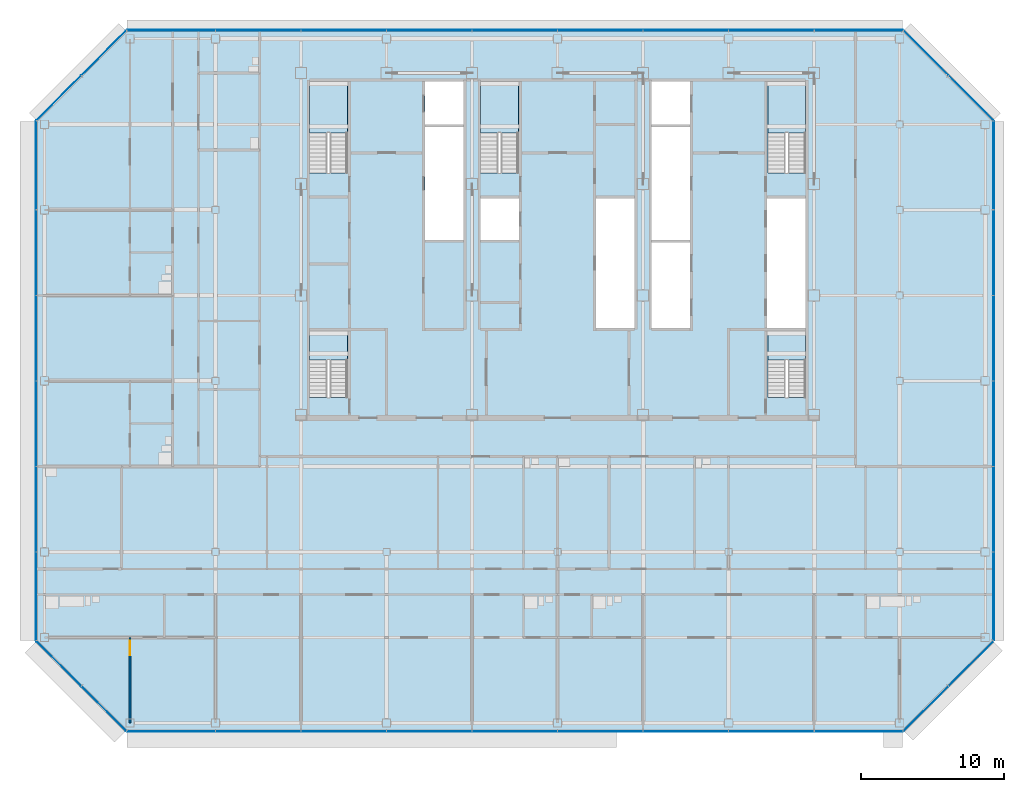
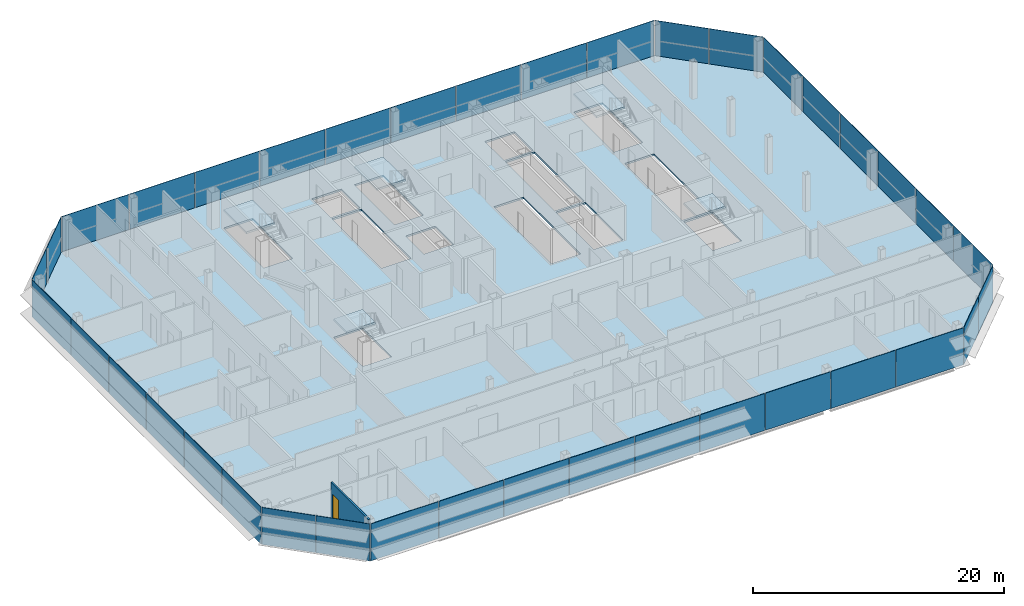
# One storey, part 20 of 28: 38 plates, 6 slabs, 1 door, 1 wall, 1 opening, 13 elements without a shape of their own.
"""IFC4 building model written with IfcOpenShell, lengths in metres."""

from ifc_helpers import new_model, si_unit, direction, frame, frame_2d, origin, origin_2d, place, context, subcontext, project, spatial, polyline, rectangle, outline, extrude, material, layer, layer_set, type_object, element, fill, aggregate, save


model = new_model("IFC4")

# Units and contexts
model_context = context("Model", 3, precision=1e-05, world=origin(), true_north=direction((0.0, 1.0)))
body_context = subcontext(model_context, "Body", "Model", "MODEL_VIEW")
ifc_project = project(units=[si_unit("LENGTHUNIT", "METRE"), si_unit("AREAUNIT", "SQUARE_METRE"), si_unit("VOLUMEUNIT", "CUBIC_METRE"), si_unit("PLANEANGLEUNIT", "RADIAN"), si_unit("MASSUNIT", "GRAM", prefix="KILO")], contexts=[model_context])

# Site, building, storey
site_placement = place(None, origin())
site = spatial("IfcSite", under=ifc_project, at=site_placement, CompositionType="ELEMENT")
building_placement = place(site_placement, origin())
building = spatial("IfcBuilding", under=site, at=building_placement, Name="Sorahane Residences", CompositionType="ELEMENT")
storey_placement = place(building_placement, frame((0.0, 0.0, 266.60009765625)))
storey = spatial("IfcBuildingStorey", under=building, at=storey_placement, Name="L63", CompositionType="ELEMENT", Elevation=266.60009765625)

# Slab
ifc_material_1 = material(Name="Concrete C35", Category="concrete")
ifc_layer_1 = layer(ifc_material_1, 0.179931640625)
ifc_layer_set_1 = layer_set([ifc_layer_1], Name="Composite floor slab 180 mm Concrete C35")
slab_type_1 = type_object("IfcSlabType", Name="Composite floor slab 180 mm Concrete C35", PredefinedType="FLOOR", material=ifc_layer_set_1)
slab_1_placement = place(storey_placement, frame((0.0, 0.0, -0.18017578125)))
element("IfcSlab", 1, at=slab_1_placement, inside=storey, type_object=slab_type_1, Name="Slab L63", PredefinedType="FLOOR", context=body_context, shape_type="SweptSolid", body=[
    extrude(outline(polyline([(-6.24853515625, -0.60009765625), (-12.60009765625, 5.75146484375), (-12.60009765625, 42.24853515625), (-6.24853515625, 48.60009765625), (48.24853515625, 48.60009765625), (54.60009765625, 42.24853515625), (54.60009765625, 5.75146484375), (48.24853515625, -0.60009765625), (-6.24853515625, -0.60009765625)]), holes=[polyline([(38.699951171875, 27.699951171875), (41.39990234375, 27.699951171875), (41.39990234375, 36.800048828125), (38.699951171875, 36.800048828125), (38.699951171875, 27.699951171875)]), polyline([(30.60009765625, 27.699951171875), (33.300048828125, 27.699951171875), (33.300048828125, 33.699951171875), (30.60009765625, 33.699951171875), (30.60009765625, 27.699951171875)]), polyline([(30.60009765625, 42.0), (33.300048828125, 42.0), (33.300048828125, 45.0), (30.60009765625, 45.0), (30.60009765625, 42.0)]), polyline([(14.699951171875, 42.0), (17.39990234375, 42.0), (17.39990234375, 45.0), (14.699951171875, 45.0), (14.699951171875, 42.0)]), polyline([(9.25, 38.60009765625), (9.25, 45.0), (6.60009765625, 45.0), (6.60009765625, 38.60009765625), (9.25, 38.60009765625)]), polyline([(41.39990234375, 38.60009765625), (41.39990234375, 45.0), (38.75, 45.0), (38.75, 38.60009765625), (41.39990234375, 38.60009765625)]), polyline([(21.25, 38.60009765625), (21.25, 45.0), (18.60009765625, 45.0), (18.60009765625, 38.60009765625), (21.25, 38.60009765625)]), polyline([(9.25, 22.85009765625), (9.25, 27.5), (6.60009765625, 27.5), (6.60009765625, 22.85009765625), (9.25, 22.85009765625)]), polyline([(41.39990234375, 22.85009765625), (41.39990234375, 27.5), (38.75, 27.5), (38.75, 22.85009765625), (41.39990234375, 22.85009765625)]), polyline([(14.699951171875, 33.89990234375), (17.39990234375, 33.89990234375), (17.39990234375, 41.800048828125), (14.699951171875, 41.800048828125), (14.699951171875, 33.89990234375)]), polyline([(30.60009765625, 33.89990234375), (33.300048828125, 33.89990234375), (33.300048828125, 41.800048828125), (30.60009765625, 41.800048828125), (30.60009765625, 33.89990234375)]), polyline([(18.60009765625, 33.89990234375), (21.300048828125, 33.89990234375), (21.300048828125, 36.800048828125), (18.60009765625, 36.800048828125), (18.60009765625, 33.89990234375)]), polyline([(26.699951171875, 27.699951171875), (29.39990234375, 27.699951171875), (29.39990234375, 36.800048828125), (26.699951171875, 36.800048828125), (26.699951171875, 27.699951171875)])]), origin(), (0.0, 0.0, 1.0), 0.18017578125),
])

# Curtain wall, plates
ifc_material_2 = material(Name="Dark low-e glass and black anodised aluminium", Category="aluminium")
curtain_wall_type_1 = type_object("IfcCurtainWallType", Name="Curtain wall CW-1 Typical unitised wall", PredefinedType="NOTDEFINED", material=ifc_material_2)
curtain_wall_1_placement = place(storey_placement, origin())
curtain_wall_1 = element("IfcCurtainWall", 2, at=curtain_wall_1_placement, inside=storey, type_object=curtain_wall_type_1, Name="CW-1 curtain wall L63 S1", PredefinedType="NOTDEFINED")
ifc_material_3 = material(Name="Dark low-e glass with black ceramic frit", Category="glass")
ifc_layer_2 = layer(ifc_material_3, 0.0400390625)
ifc_layer_set_2 = layer_set([ifc_layer_2], Name="Curtain wall glass panel dark low-e with black frit spandrel band")
plate_type = type_object("IfcPlateType", Name="Curtain wall glass panel dark low-e with black frit spandrel band", PredefinedType="CURTAIN_PANEL", material=ifc_layer_set_2)
plate_1_placement = place(storey_placement, frame((-3.11181640625, -0.60009765625, -0.18017578125), z_axis=(0.0, 0.0, 1.0), x_axis=(1.0, 0.0, 0.0)))
plate_1 = element("IfcPlate", 3, at=plate_1_placement, type_object=plate_type, Name="CW-1 glass panel L63 S1.1", PredefinedType="CURTAIN_PANEL", context=body_context, shape_type="SweptSolid", body=[
    extrude(rectangle(XDim=6.173583984375, YDim=0.0400390625, at=origin_2d()), origin(), (0.0, 0.0, 1.0), 3.60009765625),
])
plate_2_placement = place(storey_placement, frame((3.0, -0.60009765625, -0.18017578125), z_axis=(0.0, 0.0, 1.0), x_axis=(1.0, 0.0, 0.0)))
plate_2 = element("IfcPlate", 4, at=plate_2_placement, type_object=plate_type, Name="CW-1 glass panel L63 S1.2", PredefinedType="CURTAIN_PANEL", context=body_context, shape_type="SweptSolid", body=[
    extrude(rectangle(XDim=5.949951171875, YDim=0.0400390625, at=origin_2d()), origin(), (0.0, 0.0, 1.0), 3.60009765625),
])
plate_3_placement = place(storey_placement, frame((9.0, -0.60009765625, -0.18017578125), z_axis=(0.0, 0.0, 1.0), x_axis=(1.0, 0.0, 0.0)))
plate_3 = element("IfcPlate", 5, at=plate_3_placement, type_object=plate_type, Name="CW-1 glass panel L63 S1.3", PredefinedType="CURTAIN_PANEL", context=body_context, shape_type="SweptSolid", body=[
    extrude(rectangle(XDim=5.949951171875, YDim=0.0400390625, at=origin_2d()), origin(), (0.0, 0.0, 1.0), 3.60009765625),
])
plate_4_placement = place(storey_placement, frame((15.0, -0.60009765625, -0.18017578125), z_axis=(0.0, 0.0, 1.0), x_axis=(1.0, 0.0, 0.0)))
plate_4 = element("IfcPlate", 6, at=plate_4_placement, type_object=plate_type, Name="CW-1 glass panel L63 S1.4", PredefinedType="CURTAIN_PANEL", context=body_context, shape_type="SweptSolid", body=[
    extrude(rectangle(XDim=5.949951171875, YDim=0.0400390625, at=origin_2d()), origin(), (0.0, 0.0, 1.0), 3.60009765625),
])
plate_5_placement = place(storey_placement, frame((21.0, -0.60009765625, -0.18017578125), z_axis=(0.0, 0.0, 1.0), x_axis=(1.0, 0.0, 0.0)))
plate_5 = element("IfcPlate", 7, at=plate_5_placement, type_object=plate_type, Name="CW-1 glass panel L63 S1.5", PredefinedType="CURTAIN_PANEL", context=body_context, shape_type="SweptSolid", body=[
    extrude(rectangle(XDim=5.949951171875, YDim=0.0400390625, at=origin_2d()), origin(), (0.0, 0.0, 1.0), 3.60009765625),
])
plate_6_placement = place(storey_placement, frame((27.0, -0.60009765625, -0.18017578125), z_axis=(0.0, 0.0, 1.0), x_axis=(1.0, 0.0, 0.0)))
plate_6 = element("IfcPlate", 8, at=plate_6_placement, type_object=plate_type, Name="CW-1 glass panel L63 S1.6", PredefinedType="CURTAIN_PANEL", context=body_context, shape_type="SweptSolid", body=[
    extrude(rectangle(XDim=5.949951171875, YDim=0.0400390625, at=origin_2d()), origin(), (0.0, 0.0, 1.0), 3.60009765625),
])
plate_7_placement = place(storey_placement, frame((33.0, -0.60009765625, -0.18017578125), z_axis=(0.0, 0.0, 1.0), x_axis=(1.0, 0.0, 0.0)))
plate_7 = element("IfcPlate", 9, at=plate_7_placement, type_object=plate_type, Name="CW-1 glass panel L63 S1.7", PredefinedType="CURTAIN_PANEL", context=body_context, shape_type="SweptSolid", body=[
    extrude(rectangle(XDim=5.949951171875, YDim=0.0400390625, at=origin_2d()), origin(), (0.0, 0.0, 1.0), 3.60009765625),
])
plate_8_placement = place(storey_placement, frame((39.0, -0.60009765625, -0.18017578125), z_axis=(0.0, 0.0, 1.0), x_axis=(1.0, 0.0, 0.0)))
plate_8 = element("IfcPlate", 10, at=plate_8_placement, type_object=plate_type, Name="CW-1 glass panel L63 S1.8", PredefinedType="CURTAIN_PANEL", context=body_context, shape_type="SweptSolid", body=[
    extrude(rectangle(XDim=5.949951171875, YDim=0.0400390625, at=origin_2d()), origin(), (0.0, 0.0, 1.0), 3.60009765625),
])
plate_9_placement = place(storey_placement, frame((45.11181640625, -0.60009765625, -0.18017578125), z_axis=(0.0, 0.0, 1.0), x_axis=(1.0, 0.0, 0.0)))
plate_9 = element("IfcPlate", 11, at=plate_9_placement, type_object=plate_type, Name="CW-1 glass panel L63 S1.9", PredefinedType="CURTAIN_PANEL", context=body_context, shape_type="SweptSolid", body=[
    extrude(rectangle(XDim=6.173583984375, YDim=0.0400390625, at=origin_2d()), origin(), (0.0, 0.0, 1.0), 3.60009765625),
])
aggregate(curtain_wall_1, [plate_1, plate_2, plate_3, plate_4, plate_5, plate_6, plate_7, plate_8, plate_9])

ifc_material_4 = material(Name="Dark low-e glass and black anodised aluminium", Category="aluminium")
curtain_wall_type_2 = type_object("IfcCurtainWallType", Name="Curtain wall CW-2 Chamfer unitised wall", PredefinedType="NOTDEFINED", material=ifc_material_4)
curtain_wall_2_placement = place(storey_placement, origin())
curtain_wall_2 = element("IfcCurtainWall", 12, at=curtain_wall_2_placement, inside=storey, type_object=curtain_wall_type_2, Name="CW-2 curtain wall L63 SE1", PredefinedType="NOTDEFINED")
plate_10_placement = place(storey_placement, frame((49.84521484375, 0.996826171875, -0.18017578125), z_axis=(0.0, 0.0, 1.0), x_axis=(0.707106781187, 0.707106781187, 0.0)))
plate_10 = element("IfcPlate", 13, at=plate_10_placement, type_object=plate_type, Name="CW-2 glass panel L63 SE1.1", PredefinedType="CURTAIN_PANEL", context=body_context, shape_type="SweptSolid", body=[
    extrude(rectangle(XDim=4.416259765625, YDim=0.0400390625, at=origin_2d()), origin(), (0.0, 0.0, 1.0), 3.60009765625),
])
plate_11_placement = place(storey_placement, frame((53.003173828125, 4.15478515625, -0.18017578125), z_axis=(0.0, 0.0, 1.0), x_axis=(0.707106781187, 0.707106781187, 0.0)))
plate_11 = element("IfcPlate", 14, at=plate_11_placement, type_object=plate_type, Name="CW-2 glass panel L63 SE1.2", PredefinedType="CURTAIN_PANEL", context=body_context, shape_type="SweptSolid", body=[
    extrude(rectangle(XDim=4.416259765625, YDim=0.0400390625, at=origin_2d()), origin(), (0.0, 0.0, 1.0), 3.60009765625),
])
aggregate(curtain_wall_2, [plate_10, plate_11])

curtain_wall_3_placement = place(storey_placement, origin())
curtain_wall_3 = element("IfcCurtainWall", 15, at=curtain_wall_3_placement, inside=storey, type_object=curtain_wall_type_1, Name="CW-1 curtain wall L63 E1", PredefinedType="NOTDEFINED")
plate_12_placement = place(storey_placement, frame((54.60009765625, 8.88818359375, -0.18017578125), z_axis=(0.0, 0.0, 1.0), x_axis=(0.0, 1.0, 0.0)))
plate_12 = element("IfcPlate", 16, at=plate_12_placement, type_object=plate_type, Name="CW-1 glass panel L63 E1.1", PredefinedType="CURTAIN_PANEL", context=body_context, shape_type="SweptSolid", body=[
    extrude(rectangle(XDim=6.173583984375, YDim=0.0400390625, at=origin_2d()), origin(), (0.0, 0.0, 1.0), 3.60009765625),
])
plate_13_placement = place(storey_placement, frame((54.60009765625, 15.0, -0.18017578125), z_axis=(0.0, 0.0, 1.0), x_axis=(0.0, 1.0, 0.0)))
plate_13 = element("IfcPlate", 17, at=plate_13_placement, type_object=plate_type, Name="CW-1 glass panel L63 E1.2", PredefinedType="CURTAIN_PANEL", context=body_context, shape_type="SweptSolid", body=[
    extrude(rectangle(XDim=5.949951171875, YDim=0.0400390625, at=origin_2d()), origin(), (0.0, 0.0, 1.0), 3.60009765625),
])
plate_14_placement = place(storey_placement, frame((54.60009765625, 21.0, -0.18017578125), z_axis=(0.0, 0.0, 1.0), x_axis=(0.0, 1.0, 0.0)))
plate_14 = element("IfcPlate", 18, at=plate_14_placement, type_object=plate_type, Name="CW-1 glass panel L63 E1.3", PredefinedType="CURTAIN_PANEL", context=body_context, shape_type="SweptSolid", body=[
    extrude(rectangle(XDim=5.949951171875, YDim=0.0400390625, at=origin_2d()), origin(), (0.0, 0.0, 1.0), 3.60009765625),
])
plate_15_placement = place(storey_placement, frame((54.60009765625, 27.0, -0.18017578125), z_axis=(0.0, 0.0, 1.0), x_axis=(0.0, 1.0, 0.0)))
plate_15 = element("IfcPlate", 19, at=plate_15_placement, type_object=plate_type, Name="CW-1 glass panel L63 E1.4", PredefinedType="CURTAIN_PANEL", context=body_context, shape_type="SweptSolid", body=[
    extrude(rectangle(XDim=5.949951171875, YDim=0.0400390625, at=origin_2d()), origin(), (0.0, 0.0, 1.0), 3.60009765625),
])
plate_16_placement = place(storey_placement, frame((54.60009765625, 33.0, -0.18017578125), z_axis=(0.0, 0.0, 1.0), x_axis=(0.0, 1.0, 0.0)))
plate_16 = element("IfcPlate", 20, at=plate_16_placement, type_object=plate_type, Name="CW-1 glass panel L63 E1.5", PredefinedType="CURTAIN_PANEL", context=body_context, shape_type="SweptSolid", body=[
    extrude(rectangle(XDim=5.949951171875, YDim=0.0400390625, at=origin_2d()), origin(), (0.0, 0.0, 1.0), 3.60009765625),
])
plate_17_placement = place(storey_placement, frame((54.60009765625, 39.11181640625, -0.18017578125), z_axis=(0.0, 0.0, 1.0), x_axis=(0.0, 1.0, 0.0)))
plate_17 = element("IfcPlate", 21, at=plate_17_placement, type_object=plate_type, Name="CW-1 glass panel L63 E1.6", PredefinedType="CURTAIN_PANEL", context=body_context, shape_type="SweptSolid", body=[
    extrude(rectangle(XDim=6.173583984375, YDim=0.0400390625, at=origin_2d()), origin(), (0.0, 0.0, 1.0), 3.60009765625),
])
aggregate(curtain_wall_3, [plate_12, plate_13, plate_14, plate_15, plate_16, plate_17])

curtain_wall_4_placement = place(storey_placement, origin())
curtain_wall_4 = element("IfcCurtainWall", 22, at=curtain_wall_4_placement, inside=storey, type_object=curtain_wall_type_2, Name="CW-2 curtain wall L63 NE1", PredefinedType="NOTDEFINED")
plate_18_placement = place(storey_placement, frame((53.003173828125, 43.84521484375, -0.18017578125), z_axis=(0.0, 0.0, 1.0), x_axis=(-0.707106781187, 0.707106781187, 0.0)))
plate_18 = element("IfcPlate", 23, at=plate_18_placement, type_object=plate_type, Name="CW-2 glass panel L63 NE1.1", PredefinedType="CURTAIN_PANEL", context=body_context, shape_type="SweptSolid", body=[
    extrude(rectangle(XDim=4.416259765625, YDim=0.0400390625, at=origin_2d()), origin(), (0.0, 0.0, 1.0), 3.60009765625),
])
plate_19_placement = place(storey_placement, frame((49.84521484375, 47.003173828125, -0.18017578125), z_axis=(0.0, 0.0, 1.0), x_axis=(-0.707106781187, 0.707106781187, 0.0)))
plate_19 = element("IfcPlate", 24, at=plate_19_placement, type_object=plate_type, Name="CW-2 glass panel L63 NE1.2", PredefinedType="CURTAIN_PANEL", context=body_context, shape_type="SweptSolid", body=[
    extrude(rectangle(XDim=4.416259765625, YDim=0.0400390625, at=origin_2d()), origin(), (0.0, 0.0, 1.0), 3.60009765625),
])
aggregate(curtain_wall_4, [plate_18, plate_19])

curtain_wall_5_placement = place(storey_placement, origin())
curtain_wall_5 = element("IfcCurtainWall", 25, at=curtain_wall_5_placement, inside=storey, type_object=curtain_wall_type_1, Name="CW-1 curtain wall L63 N1", PredefinedType="NOTDEFINED")
plate_20_placement = place(storey_placement, frame((45.11181640625, 48.60009765625, -0.18017578125), z_axis=(0.0, 0.0, 1.0), x_axis=(-1.0, 0.0, 0.0)))
plate_20 = element("IfcPlate", 26, at=plate_20_placement, type_object=plate_type, Name="CW-1 glass panel L63 N1.1", PredefinedType="CURTAIN_PANEL", context=body_context, shape_type="SweptSolid", body=[
    extrude(rectangle(XDim=6.173583984375, YDim=0.0400390625, at=origin_2d()), origin(), (0.0, 0.0, 1.0), 3.60009765625),
])
plate_21_placement = place(storey_placement, frame((39.0, 48.60009765625, -0.18017578125), z_axis=(0.0, 0.0, 1.0), x_axis=(-1.0, 0.0, 0.0)))
plate_21 = element("IfcPlate", 27, at=plate_21_placement, type_object=plate_type, Name="CW-1 glass panel L63 N1.2", PredefinedType="CURTAIN_PANEL", context=body_context, shape_type="SweptSolid", body=[
    extrude(rectangle(XDim=5.949951171875, YDim=0.0400390625, at=origin_2d()), origin(), (0.0, 0.0, 1.0), 3.60009765625),
])
plate_22_placement = place(storey_placement, frame((33.0, 48.60009765625, -0.18017578125), z_axis=(0.0, 0.0, 1.0), x_axis=(-1.0, 0.0, 0.0)))
plate_22 = element("IfcPlate", 28, at=plate_22_placement, type_object=plate_type, Name="CW-1 glass panel L63 N1.3", PredefinedType="CURTAIN_PANEL", context=body_context, shape_type="SweptSolid", body=[
    extrude(rectangle(XDim=5.949951171875, YDim=0.0400390625, at=origin_2d()), origin(), (0.0, 0.0, 1.0), 3.60009765625),
])
plate_23_placement = place(storey_placement, frame((27.0, 48.60009765625, -0.18017578125), z_axis=(0.0, 0.0, 1.0), x_axis=(-1.0, 0.0, 0.0)))
plate_23 = element("IfcPlate", 29, at=plate_23_placement, type_object=plate_type, Name="CW-1 glass panel L63 N1.4", PredefinedType="CURTAIN_PANEL", context=body_context, shape_type="SweptSolid", body=[
    extrude(rectangle(XDim=5.949951171875, YDim=0.0400390625, at=origin_2d()), origin(), (0.0, 0.0, 1.0), 3.60009765625),
])
plate_24_placement = place(storey_placement, frame((21.0, 48.60009765625, -0.18017578125), z_axis=(0.0, 0.0, 1.0), x_axis=(-1.0, 0.0, 0.0)))
plate_24 = element("IfcPlate", 30, at=plate_24_placement, type_object=plate_type, Name="CW-1 glass panel L63 N1.5", PredefinedType="CURTAIN_PANEL", context=body_context, shape_type="SweptSolid", body=[
    extrude(rectangle(XDim=5.949951171875, YDim=0.0400390625, at=origin_2d()), origin(), (0.0, 0.0, 1.0), 3.60009765625),
])
plate_25_placement = place(storey_placement, frame((15.0, 48.60009765625, -0.18017578125), z_axis=(0.0, 0.0, 1.0), x_axis=(-1.0, 0.0, 0.0)))
plate_25 = element("IfcPlate", 31, at=plate_25_placement, type_object=plate_type, Name="CW-1 glass panel L63 N1.6", PredefinedType="CURTAIN_PANEL", context=body_context, shape_type="SweptSolid", body=[
    extrude(rectangle(XDim=5.949951171875, YDim=0.0400390625, at=origin_2d()), origin(), (0.0, 0.0, 1.0), 3.60009765625),
])
plate_26_placement = place(storey_placement, frame((9.0, 48.60009765625, -0.18017578125), z_axis=(0.0, 0.0, 1.0), x_axis=(-1.0, 0.0, 0.0)))
plate_26 = element("IfcPlate", 32, at=plate_26_placement, type_object=plate_type, Name="CW-1 glass panel L63 N1.7", PredefinedType="CURTAIN_PANEL", context=body_context, shape_type="SweptSolid", body=[
    extrude(rectangle(XDim=5.949951171875, YDim=0.0400390625, at=origin_2d()), origin(), (0.0, 0.0, 1.0), 3.60009765625),
])
plate_27_placement = place(storey_placement, frame((3.0, 48.60009765625, -0.18017578125), z_axis=(0.0, 0.0, 1.0), x_axis=(-1.0, 0.0, 0.0)))
plate_27 = element("IfcPlate", 33, at=plate_27_placement, type_object=plate_type, Name="CW-1 glass panel L63 N1.8", PredefinedType="CURTAIN_PANEL", context=body_context, shape_type="SweptSolid", body=[
    extrude(rectangle(XDim=5.949951171875, YDim=0.0400390625, at=origin_2d()), origin(), (0.0, 0.0, 1.0), 3.60009765625),
])
plate_28_placement = place(storey_placement, frame((-3.11181640625, 48.60009765625, -0.18017578125), z_axis=(0.0, 0.0, 1.0), x_axis=(-1.0, 0.0, 0.0)))
plate_28 = element("IfcPlate", 34, at=plate_28_placement, type_object=plate_type, Name="CW-1 glass panel L63 N1.9", PredefinedType="CURTAIN_PANEL", context=body_context, shape_type="SweptSolid", body=[
    extrude(rectangle(XDim=6.173583984375, YDim=0.0400390625, at=origin_2d()), origin(), (0.0, 0.0, 1.0), 3.60009765625),
])
aggregate(curtain_wall_5, [plate_20, plate_21, plate_22, plate_23, plate_24, plate_25, plate_26, plate_27, plate_28])

curtain_wall_6_placement = place(storey_placement, origin())
curtain_wall_6 = element("IfcCurtainWall", 35, at=curtain_wall_6_placement, inside=storey, type_object=curtain_wall_type_2, Name="CW-2 curtain wall L63 NW1", PredefinedType="NOTDEFINED")
plate_29_placement = place(storey_placement, frame((-7.84521484375, 47.003173828125, -0.18017578125), z_axis=(0.0, 0.0, 1.0), x_axis=(-0.707106781187, -0.707106781187, 0.0)))
plate_29 = element("IfcPlate", 36, at=plate_29_placement, type_object=plate_type, Name="CW-2 glass panel L63 NW1.1", PredefinedType="CURTAIN_PANEL", context=body_context, shape_type="SweptSolid", body=[
    extrude(rectangle(XDim=4.416259765625, YDim=0.0400390625, at=origin_2d()), origin(), (0.0, 0.0, 1.0), 3.60009765625),
])
plate_30_placement = place(storey_placement, frame((-11.003173828125, 43.84521484375, -0.18017578125), z_axis=(0.0, 0.0, 1.0), x_axis=(-0.707106781187, -0.707106781187, 0.0)))
plate_30 = element("IfcPlate", 37, at=plate_30_placement, type_object=plate_type, Name="CW-2 glass panel L63 NW1.2", PredefinedType="CURTAIN_PANEL", context=body_context, shape_type="SweptSolid", body=[
    extrude(rectangle(XDim=4.416259765625, YDim=0.0400390625, at=origin_2d()), origin(), (0.0, 0.0, 1.0), 3.60009765625),
])
aggregate(curtain_wall_6, [plate_29, plate_30])

curtain_wall_7_placement = place(storey_placement, origin())
curtain_wall_7 = element("IfcCurtainWall", 38, at=curtain_wall_7_placement, inside=storey, type_object=curtain_wall_type_1, Name="CW-1 curtain wall L63 W1", PredefinedType="NOTDEFINED")
plate_31_placement = place(storey_placement, frame((-12.60009765625, 39.11181640625, -0.18017578125), z_axis=(0.0, 0.0, 1.0), x_axis=(0.0, -1.0, 0.0)))
plate_31 = element("IfcPlate", 39, at=plate_31_placement, type_object=plate_type, Name="CW-1 glass panel L63 W1.1", PredefinedType="CURTAIN_PANEL", context=body_context, shape_type="SweptSolid", body=[
    extrude(rectangle(XDim=6.173583984375, YDim=0.0400390625, at=origin_2d()), origin(), (0.0, 0.0, 1.0), 3.60009765625),
])
plate_32_placement = place(storey_placement, frame((-12.60009765625, 33.0, -0.18017578125), z_axis=(0.0, 0.0, 1.0), x_axis=(0.0, -1.0, 0.0)))
plate_32 = element("IfcPlate", 40, at=plate_32_placement, type_object=plate_type, Name="CW-1 glass panel L63 W1.2", PredefinedType="CURTAIN_PANEL", context=body_context, shape_type="SweptSolid", body=[
    extrude(rectangle(XDim=5.949951171875, YDim=0.0400390625, at=origin_2d()), origin(), (0.0, 0.0, 1.0), 3.60009765625),
])
plate_33_placement = place(storey_placement, frame((-12.60009765625, 27.0, -0.18017578125), z_axis=(0.0, 0.0, 1.0), x_axis=(0.0, -1.0, 0.0)))
plate_33 = element("IfcPlate", 41, at=plate_33_placement, type_object=plate_type, Name="CW-1 glass panel L63 W1.3", PredefinedType="CURTAIN_PANEL", context=body_context, shape_type="SweptSolid", body=[
    extrude(rectangle(XDim=5.949951171875, YDim=0.0400390625, at=origin_2d()), origin(), (0.0, 0.0, 1.0), 3.60009765625),
])
plate_34_placement = place(storey_placement, frame((-12.60009765625, 21.0, -0.18017578125), z_axis=(0.0, 0.0, 1.0), x_axis=(0.0, -1.0, 0.0)))
plate_34 = element("IfcPlate", 42, at=plate_34_placement, type_object=plate_type, Name="CW-1 glass panel L63 W1.4", PredefinedType="CURTAIN_PANEL", context=body_context, shape_type="SweptSolid", body=[
    extrude(rectangle(XDim=5.949951171875, YDim=0.0400390625, at=origin_2d()), origin(), (0.0, 0.0, 1.0), 3.60009765625),
])
plate_35_placement = place(storey_placement, frame((-12.60009765625, 15.0, -0.18017578125), z_axis=(0.0, 0.0, 1.0), x_axis=(0.0, -1.0, 0.0)))
plate_35 = element("IfcPlate", 43, at=plate_35_placement, type_object=plate_type, Name="CW-1 glass panel L63 W1.5", PredefinedType="CURTAIN_PANEL", context=body_context, shape_type="SweptSolid", body=[
    extrude(rectangle(XDim=5.949951171875, YDim=0.0400390625, at=origin_2d()), origin(), (0.0, 0.0, 1.0), 3.60009765625),
])
plate_36_placement = place(storey_placement, frame((-12.60009765625, 8.88818359375, -0.18017578125), z_axis=(0.0, 0.0, 1.0), x_axis=(0.0, -1.0, 0.0)))
plate_36 = element("IfcPlate", 44, at=plate_36_placement, type_object=plate_type, Name="CW-1 glass panel L63 W1.6", PredefinedType="CURTAIN_PANEL", context=body_context, shape_type="SweptSolid", body=[
    extrude(rectangle(XDim=6.173583984375, YDim=0.0400390625, at=origin_2d()), origin(), (0.0, 0.0, 1.0), 3.60009765625),
])
aggregate(curtain_wall_7, [plate_31, plate_32, plate_33, plate_34, plate_35, plate_36])

curtain_wall_8_placement = place(storey_placement, origin())
curtain_wall_8 = element("IfcCurtainWall", 45, at=curtain_wall_8_placement, inside=storey, type_object=curtain_wall_type_2, Name="CW-2 curtain wall L63 SW1", PredefinedType="NOTDEFINED")
plate_37_placement = place(storey_placement, frame((-11.003173828125, 4.15478515625, -0.18017578125), z_axis=(0.0, 0.0, 1.0), x_axis=(0.707106781187, -0.707106781187, 0.0)))
plate_37 = element("IfcPlate", 46, at=plate_37_placement, type_object=plate_type, Name="CW-2 glass panel L63 SW1.1", PredefinedType="CURTAIN_PANEL", context=body_context, shape_type="SweptSolid", body=[
    extrude(rectangle(XDim=4.416259765625, YDim=0.0400390625, at=origin_2d()), origin(), (0.0, 0.0, 1.0), 3.60009765625),
])
plate_38_placement = place(storey_placement, frame((-7.84521484375, 0.996826171875, -0.18017578125), z_axis=(0.0, 0.0, 1.0), x_axis=(0.707106781187, -0.707106781187, 0.0)))
plate_38 = element("IfcPlate", 47, at=plate_38_placement, type_object=plate_type, Name="CW-2 glass panel L63 SW1.2", PredefinedType="CURTAIN_PANEL", context=body_context, shape_type="SweptSolid", body=[
    extrude(rectangle(XDim=4.416259765625, YDim=0.0400390625, at=origin_2d()), origin(), (0.0, 0.0, 1.0), 3.60009765625),
])
aggregate(curtain_wall_8, [plate_37, plate_38])

# Stair, slab
ifc_material_5 = material(Name="Concrete C40", Category="concrete")
stair_type = type_object("IfcStairType", Name="Dog-leg stair 1250 Concrete C40", PredefinedType="HALF_TURN_STAIR", material=ifc_material_5)
stair_1_placement = place(storey_placement, origin())
stair_1 = element("IfcStair", 48, at=stair_1_placement, inside=storey, type_object=stair_type, Name="L63 Stair S1", PredefinedType="HALF_TURN_STAIR")
ifc_material_6 = material(Name="Concrete C40", Category="concrete")
ifc_layer_3 = layer(ifc_material_6, 0.199951171875)
ifc_layer_set_3 = layer_set([ifc_layer_3], Name="Stair landing 200 Concrete C40")
slab_type_2 = type_object("IfcSlabType", Name="Stair landing 200 Concrete C40", PredefinedType="LANDING", material=ifc_layer_set_3)
slab_2_placement = place(storey_placement, frame((0.0, 0.0, 1.599853515625)))
slab_2 = element("IfcSlab", 49, at=slab_2_placement, type_object=slab_type_2, Name="S1 landing 1", PredefinedType="LANDING", context=body_context, shape_type="SweptSolid", body=[
    extrude(outline(polyline([(9.25, 41.39990234375), (9.25, 45.0), (6.60009765625, 45.0), (6.60009765625, 41.39990234375), (9.25, 41.39990234375)])), origin(), (0.0, 0.0, 1.0), 0.199951171875),
])
aggregate(stair_1, [slab_2])

stair_2_placement = place(storey_placement, origin())
stair_2 = element("IfcStair", 50, at=stair_2_placement, inside=storey, type_object=stair_type, Name="L63 Stair S2", PredefinedType="HALF_TURN_STAIR")
slab_3_placement = place(storey_placement, frame((0.0, 0.0, 1.599853515625)))
slab_3 = element("IfcSlab", 51, at=slab_3_placement, type_object=slab_type_2, Name="S2 landing 1", PredefinedType="LANDING", context=body_context, shape_type="SweptSolid", body=[
    extrude(outline(polyline([(41.39990234375, 41.39990234375), (41.39990234375, 45.0), (38.75, 45.0), (38.75, 41.39990234375), (41.39990234375, 41.39990234375)])), origin(), (0.0, 0.0, 1.0), 0.199951171875),
])
aggregate(stair_2, [slab_3])

stair_3_placement = place(storey_placement, origin())
stair_3 = element("IfcStair", 52, at=stair_3_placement, inside=storey, type_object=stair_type, Name="L63 Stair S3", PredefinedType="HALF_TURN_STAIR")
slab_4_placement = place(storey_placement, frame((0.0, 0.0, 1.599853515625)))
slab_4 = element("IfcSlab", 53, at=slab_4_placement, type_object=slab_type_2, Name="S3 landing 1", PredefinedType="LANDING", context=body_context, shape_type="SweptSolid", body=[
    extrude(outline(polyline([(21.25, 41.39990234375), (21.25, 45.0), (18.60009765625, 45.0), (18.60009765625, 41.39990234375), (21.25, 41.39990234375)])), origin(), (0.0, 0.0, 1.0), 0.199951171875),
])
aggregate(stair_3, [slab_4])

stair_4_placement = place(storey_placement, origin())
stair_4 = element("IfcStair", 54, at=stair_4_placement, inside=storey, type_object=stair_type, Name="L63 Stair S4", PredefinedType="HALF_TURN_STAIR")
slab_5_placement = place(storey_placement, frame((0.0, 0.0, 1.599853515625)))
slab_5 = element("IfcSlab", 55, at=slab_5_placement, type_object=slab_type_2, Name="S4 landing 1", PredefinedType="LANDING", context=body_context, shape_type="SweptSolid", body=[
    extrude(outline(polyline([(9.25, 25.449951171875), (9.25, 27.5), (6.60009765625, 27.5), (6.60009765625, 25.449951171875), (9.25, 25.449951171875)])), origin(), (0.0, 0.0, 1.0), 0.199951171875),
])
aggregate(stair_4, [slab_5])

stair_5_placement = place(storey_placement, origin())
stair_5 = element("IfcStair", 56, at=stair_5_placement, inside=storey, type_object=stair_type, Name="L63 Stair S5", PredefinedType="HALF_TURN_STAIR")
slab_6_placement = place(storey_placement, frame((0.0, 0.0, 1.599853515625)))
slab_6 = element("IfcSlab", 57, at=slab_6_placement, type_object=slab_type_2, Name="S5 landing 1", PredefinedType="LANDING", context=body_context, shape_type="SweptSolid", body=[
    extrude(outline(polyline([(41.39990234375, 25.449951171875), (41.39990234375, 27.5), (38.75, 27.5), (38.75, 25.449951171875), (41.39990234375, 25.449951171875)])), origin(), (0.0, 0.0, 1.0), 0.199951171875),
])
aggregate(stair_5, [slab_6])

# Wall, opening, door
ifc_material_7 = material(Name="Gypsum board partition on steel studs", Category="steel")
ifc_layer_4 = layer(ifc_material_7, 0.14990234375)
ifc_layer_set_4 = layer_set([ifc_layer_4], Name="Partition 150 EI 90")
wall_type = type_object("IfcWallType", Name="Partition 150 EI 90", PredefinedType="PARTITIONING", material=ifc_layer_set_4)
wall_placement = place(storey_placement, frame((-6.0, 0.0, 0.0), z_axis=(0.0, 0.0, 1.0), x_axis=(0.0, 1.0, 0.0)))
wall = element("IfcWall", 58, at=wall_placement, inside=storey, type_object=wall_type, Name="L63 partition", PredefinedType="PARTITIONING", context=body_context, shape_type="SweptSolid", body=[
    extrude(rectangle(XDim=6.0, YDim=0.14990234375, at=frame_2d((3.0, 0.0))), origin(), (0.0, 0.0, 1.0), 3.419921875),
])
opening_placement = place(wall_placement, frame((4.75, 0.0, 0.0)))
opening = element("IfcOpeningElement", 59, at=opening_placement, cuts=wall, Name="Opening L63-11", PredefinedType="OPENING", context=body_context, shape_type="SweptSolid", body=[
    extrude(rectangle(XDim=1.0, YDim=2.39990234375, at=frame_2d((0.5, 1.199951171875))), frame((0.0, 0.0849609375, 0.0), z_axis=(0.0, -1.0, 0.0), x_axis=(1.0, 0.0, 0.0)), (0.0, 0.0, 1.0), 0.169921875),
])
ifc_material_8 = material(Name="Timber veneered fire door", Category="wood")
door_type = type_object("IfcDoorType", Name="Room door 1000x2400 FD30", OperationType="NOTDEFINED", PredefinedType="DOOR", material=ifc_material_8)
door_placement = place(opening_placement, origin())
door = element("IfcDoor", 60, at=door_placement, inside=storey, type_object=door_type, Name="Room door L63-11", OperationType="SINGLE_SWING_LEFT", OverallHeight=2.39990234375, OverallWidth=1.0, PredefinedType="DOOR", context=body_context, shape_type="SweptSolid", body=[
    extrude(rectangle(XDim=1.0, YDim=2.39990234375, at=frame_2d((0.5, 1.199951171875))), frame((0.0, 0.02490234375, 0.0), z_axis=(0.0, -1.0, 0.0), x_axis=(1.0, 0.0, 0.0)), (0.0, 0.0, 1.0), 0.050048828125),
])
fill(opening, door)

save(model, "model.ifc")
